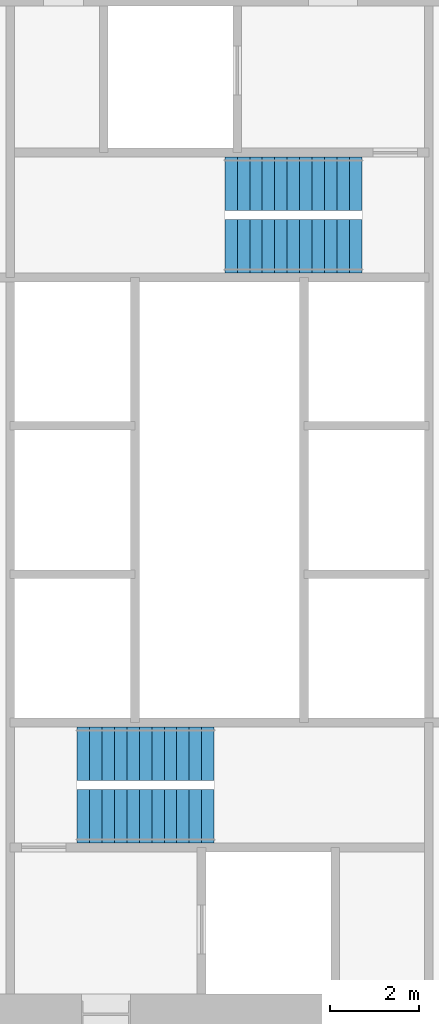
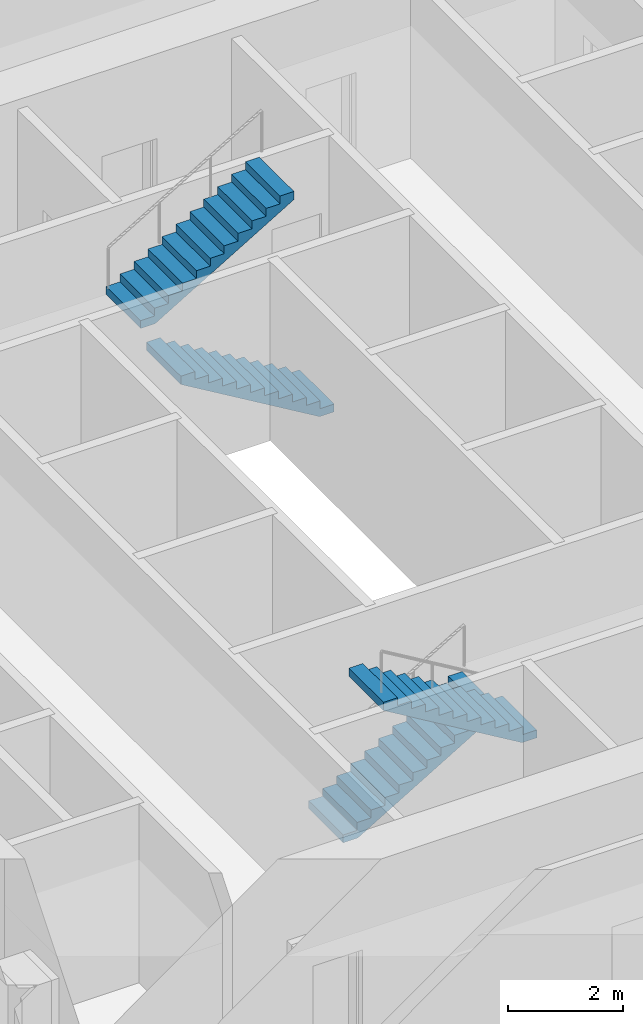
# One storey, part 12 of 14: 4 stair flights, 2 elements without a shape of their own.
"""IFC4 building model written with IfcOpenShell, lengths in metres."""

from ifc_helpers import new_model, si_unit, direction, frame, origin, place, context, subcontext, project, spatial, polyline, outline, extrude, material, type_object, element, aggregate, save


model = new_model("IFC4")

# Units and contexts
model_context = context("Model", 3, precision=1e-05, world=origin(), true_north=direction((0.0, 1.0)))
body_context = subcontext(model_context, "Body", "Model", "MODEL_VIEW")
ifc_project = project(units=[si_unit("LENGTHUNIT", "METRE"), si_unit("AREAUNIT", "SQUARE_METRE"), si_unit("VOLUMEUNIT", "CUBIC_METRE"), si_unit("PLANEANGLEUNIT", "RADIAN"), si_unit("MASSUNIT", "GRAM", prefix="KILO")], contexts=[model_context])

# Site, building, storey
site_placement = place(None, origin())
site = spatial("IfcSite", under=ifc_project, at=site_placement, CompositionType="ELEMENT")
building_placement = place(site_placement, origin())
building = spatial("IfcBuilding", under=site, at=building_placement, Name="Fenwick Lantern Interchange", CompositionType="ELEMENT")
storey_placement = place(building_placement, frame((0.0, 0.0, 83.0)))
storey = spatial("IfcBuildingStorey", under=building, at=storey_placement, Name="L19", CompositionType="ELEMENT", Elevation=83.0)

# Stair, stair flights
ifc_material = material(Name="Precast concrete f'c 35 MPa", Category="concrete")
stair_type = type_object("IfcStairType", Name="EXIT STAIR 1200", PredefinedType="HALF_TURN_STAIR", material=ifc_material)
stair_1_placement = place(storey_placement, origin())
stair_1 = element("IfcStair", 1, at=stair_1_placement, inside=storey, type_object=stair_type, Name="Exit stair ST1", PredefinedType="HALF_TURN_STAIR")
stair_flight_type = type_object("IfcStairFlightType", Name="STAIR FLIGHT 1200", PredefinedType="STRAIGHT", material=ifc_material)
stair_flight_1_placement = place(storey_placement, frame((21.800048828125, 19.300048828125, 0.0), z_axis=(0.0, 0.0, 1.0), x_axis=(1.0, 0.0, 0.0)))
stair_flight_1 = element("IfcStairFlight", 2, at=stair_flight_1_placement, type_object=stair_flight_type, Name="ST1 flight 1", NumberOfRisers=12, NumberOfTreads=11, PredefinedType="STRAIGHT", RiserHeight=0.166666667, TreadLength=0.28, context=body_context, shape_type="SweptSolid", body=[
    extrude(outline(polyline([(0.0, 0.0), (0.0, 0.166748046875), (0.280029296875, 0.166748046875), (0.280029296875, 0.333251953125), (0.56005859375, 0.333251953125), (0.56005859375, 0.5), (0.840087890625, 0.5), (0.840087890625, 0.666748046875), (1.1201171875, 0.666748046875), (1.1201171875, 0.833251953125), (1.39990234375, 0.833251953125), (1.39990234375, 1.0), (1.679931640625, 1.0), (1.679931640625, 1.166748046875), (1.9599609375, 1.166748046875), (1.9599609375, 1.333251953125), (2.239990234375, 1.333251953125), (2.239990234375, 1.5), (2.52001953125, 1.5), (2.52001953125, 1.666748046875), (2.800048828125, 1.666748046875), (2.800048828125, 1.833251953125), (3.080078125, 1.833251953125), (3.080078125, 2.0), (3.080078125, 1.658935546875), (0.29296875, 0.0), (0.0, 0.0)])), frame((0.0, 0.60009765625, 0.0), z_axis=(0.0, -1.0, 0.0), x_axis=(1.0, 0.0, 0.0)), (0.0, 0.0, 1.0), 1.199951171875),
])
stair_flight_2_placement = place(storey_placement, frame((24.8798828125, 17.89990234375, 2.0), z_axis=(0.0, 0.0, 1.0), x_axis=(-1.0, 0.0, 0.0)))
stair_flight_2 = element("IfcStairFlight", 3, at=stair_flight_2_placement, type_object=stair_flight_type, Name="ST1 flight 2", NumberOfRisers=12, NumberOfTreads=11, PredefinedType="STRAIGHT", RiserHeight=0.166666667, TreadLength=0.28, context=body_context, shape_type="SweptSolid", body=[
    extrude(outline(polyline([(0.0, 0.0), (0.0, 0.166748046875), (0.280029296875, 0.166748046875), (0.280029296875, 0.333251953125), (0.56005859375, 0.333251953125), (0.56005859375, 0.5), (0.840087890625, 0.5), (0.840087890625, 0.666748046875), (1.1201171875, 0.666748046875), (1.1201171875, 0.833251953125), (1.39990234375, 0.833251953125), (1.39990234375, 1.0), (1.679931640625, 1.0), (1.679931640625, 1.166748046875), (1.9599609375, 1.166748046875), (1.9599609375, 1.333251953125), (2.239990234375, 1.333251953125), (2.239990234375, 1.5), (2.52001953125, 1.5), (2.52001953125, 1.666748046875), (2.800048828125, 1.666748046875), (2.800048828125, 1.833251953125), (3.080078125, 1.833251953125), (3.080078125, 2.0), (3.080078125, 1.658935546875), (0.29296875, 0.0), (0.0, 0.0)])), frame((0.0, 0.60009765625, 0.0), z_axis=(0.0, -1.0, 0.0), x_axis=(1.0, 0.0, 0.0)), (0.0, 0.0, 1.0), 1.199951171875),
])
aggregate(stair_1, [stair_flight_1, stair_flight_2])

stair_2_placement = place(storey_placement, origin())
stair_2 = element("IfcStair", 4, at=stair_2_placement, inside=storey, type_object=stair_type, Name="Exit stair ST2", PredefinedType="HALF_TURN_STAIR")
stair_flight_3_placement = place(storey_placement, frame((28.199951171875, 30.699951171875, 0.0), z_axis=(0.0, 0.0, 1.0), x_axis=(-1.0, 0.0, 0.0)))
stair_flight_3 = element("IfcStairFlight", 5, at=stair_flight_3_placement, type_object=stair_flight_type, Name="ST2 flight 1", NumberOfRisers=12, NumberOfTreads=11, PredefinedType="STRAIGHT", RiserHeight=0.166666667, TreadLength=0.28, context=body_context, shape_type="SweptSolid", body=[
    extrude(outline(polyline([(0.0, 0.0), (0.0, 0.166748046875), (0.280029296875, 0.166748046875), (0.280029296875, 0.333251953125), (0.56005859375, 0.333251953125), (0.56005859375, 0.5), (0.840087890625, 0.5), (0.840087890625, 0.666748046875), (1.1201171875, 0.666748046875), (1.1201171875, 0.833251953125), (1.39990234375, 0.833251953125), (1.39990234375, 1.0), (1.679931640625, 1.0), (1.679931640625, 1.166748046875), (1.9599609375, 1.166748046875), (1.9599609375, 1.333251953125), (2.239990234375, 1.333251953125), (2.239990234375, 1.5), (2.52001953125, 1.5), (2.52001953125, 1.666748046875), (2.800048828125, 1.666748046875), (2.800048828125, 1.833251953125), (3.080078125, 1.833251953125), (3.080078125, 2.0), (3.080078125, 1.658935546875), (0.29296875, 0.0), (0.0, 0.0)])), frame((0.0, 0.60009765625, 0.0), z_axis=(0.0, -1.0, 0.0), x_axis=(1.0, 0.0, 0.0)), (0.0, 0.0, 1.0), 1.199951171875),
])
stair_flight_4_placement = place(storey_placement, frame((25.1201171875, 32.10009765625, 2.0), z_axis=(0.0, 0.0, 1.0), x_axis=(1.0, 0.0, 0.0)))
stair_flight_4 = element("IfcStairFlight", 6, at=stair_flight_4_placement, type_object=stair_flight_type, Name="ST2 flight 2", NumberOfRisers=12, NumberOfTreads=11, PredefinedType="STRAIGHT", RiserHeight=0.166666667, TreadLength=0.28, context=body_context, shape_type="SweptSolid", body=[
    extrude(outline(polyline([(0.0, 0.0), (0.0, 0.166748046875), (0.280029296875, 0.166748046875), (0.280029296875, 0.333251953125), (0.56005859375, 0.333251953125), (0.56005859375, 0.5), (0.840087890625, 0.5), (0.840087890625, 0.666748046875), (1.1201171875, 0.666748046875), (1.1201171875, 0.833251953125), (1.39990234375, 0.833251953125), (1.39990234375, 1.0), (1.679931640625, 1.0), (1.679931640625, 1.166748046875), (1.9599609375, 1.166748046875), (1.9599609375, 1.333251953125), (2.239990234375, 1.333251953125), (2.239990234375, 1.5), (2.52001953125, 1.5), (2.52001953125, 1.666748046875), (2.800048828125, 1.666748046875), (2.800048828125, 1.833251953125), (3.080078125, 1.833251953125), (3.080078125, 2.0), (3.080078125, 1.658935546875), (0.29296875, 0.0), (0.0, 0.0)])), frame((0.0, 0.60009765625, 0.0), z_axis=(0.0, -1.0, 0.0), x_axis=(1.0, 0.0, 0.0)), (0.0, 0.0, 1.0), 1.199951171875),
])
aggregate(stair_2, [stair_flight_3, stair_flight_4])

save(model, "model.ifc")
